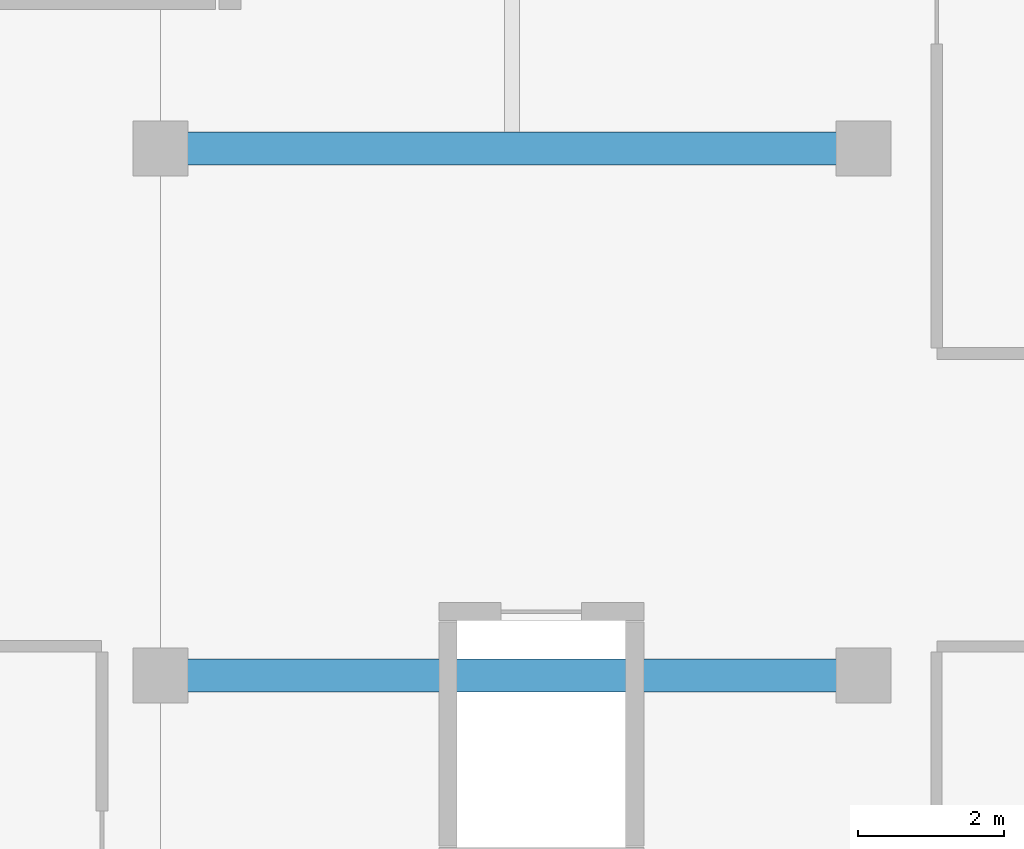
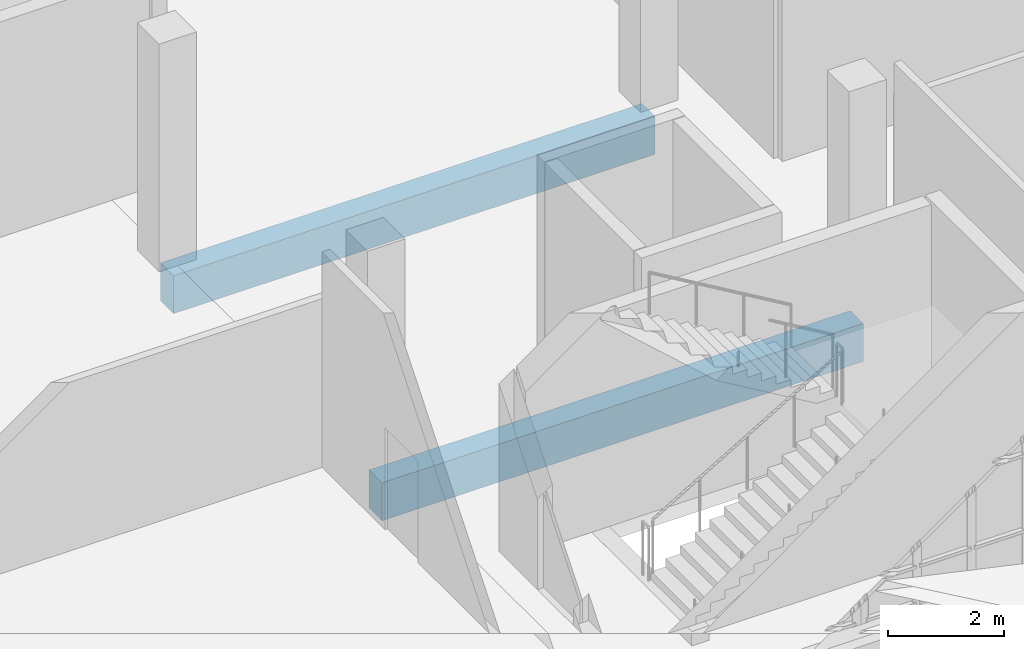
# One storey, part 56 of 106: 2 beams.
"""IFC4 building model written with IfcOpenShell, lengths in metres."""

from ifc_helpers import new_model, si_unit, direction, frame, origin, origin_2d, place, context, subcontext, project, spatial, rectangle, extrude, material, material_profile, profile_set, type_object, element, save


model = new_model("IFC4")

# Units and contexts
model_context = context("Model", 3, precision=1e-05, world=origin(), true_north=direction((0.0, 1.0)))
body_context = subcontext(model_context, "Body", "Model", "MODEL_VIEW")
ifc_project = project(units=[si_unit("LENGTHUNIT", "METRE"), si_unit("AREAUNIT", "SQUARE_METRE"), si_unit("VOLUMEUNIT", "CUBIC_METRE"), si_unit("PLANEANGLEUNIT", "RADIAN"), si_unit("MASSUNIT", "GRAM", prefix="KILO")], contexts=[model_context])

# Site, building, storey
site_placement = place(None, origin())
site = spatial("IfcSite", under=ifc_project, at=site_placement, CompositionType="ELEMENT")
building_placement = place(site_placement, origin())
building = spatial("IfcBuilding", under=site, at=building_placement, Name="Kisaragi Civic Commons", CompositionType="ELEMENT")
storey_placement = place(building_placement, frame((0.0, 0.0, 4.800048828125)))
storey = spatial("IfcBuildingStorey", under=building, at=storey_placement, Name="L01", CompositionType="ELEMENT", Elevation=4.800048828125)

# Beams
ifc_material = material(Name="Concrete Fc30", Category="concrete")
ifc_material_profile = material_profile(ifc_material, rectangle(XDim=0.449951171875, YDim=0.800048828125, at=origin_2d()), Name="RC-450x800", Category="concrete")
ifc_profile_set = profile_set([ifc_material_profile], Name="Concrete Fc30")
beam_type = type_object("IfcBeamType", Name="G-03", PredefinedType="BEAM", material=ifc_profile_set)
for number, where, z_axis, x_axis, name in (
    (1, (123.60009765625, 104.39990234375, -0.705078125), (1.0, 0.0, 0.0), (0.0, 1.0, 0.0), "L01 girder G-03 229"),
    (2, (123.60009765625, 111.60009765625, -0.705078125), (1.0, 0.0, 0.0), (0.0, 1.0, 0.0), "L01 girder G-03 234"),
):
    element("IfcBeam", number, at=place(storey_placement, frame(where, z_axis=z_axis, x_axis=x_axis)), inside=storey, type_object=beam_type, Name=name, PredefinedType="BEAM", context=body_context, shape_type="SweptSolid", body=[
        extrude(rectangle(XDim=0.449951171875, YDim=0.800048828125, at=origin_2d()), origin(), (0.0, 0.0, 1.0), 9.599853515625),
    ])

save(model, "model.ifc")
